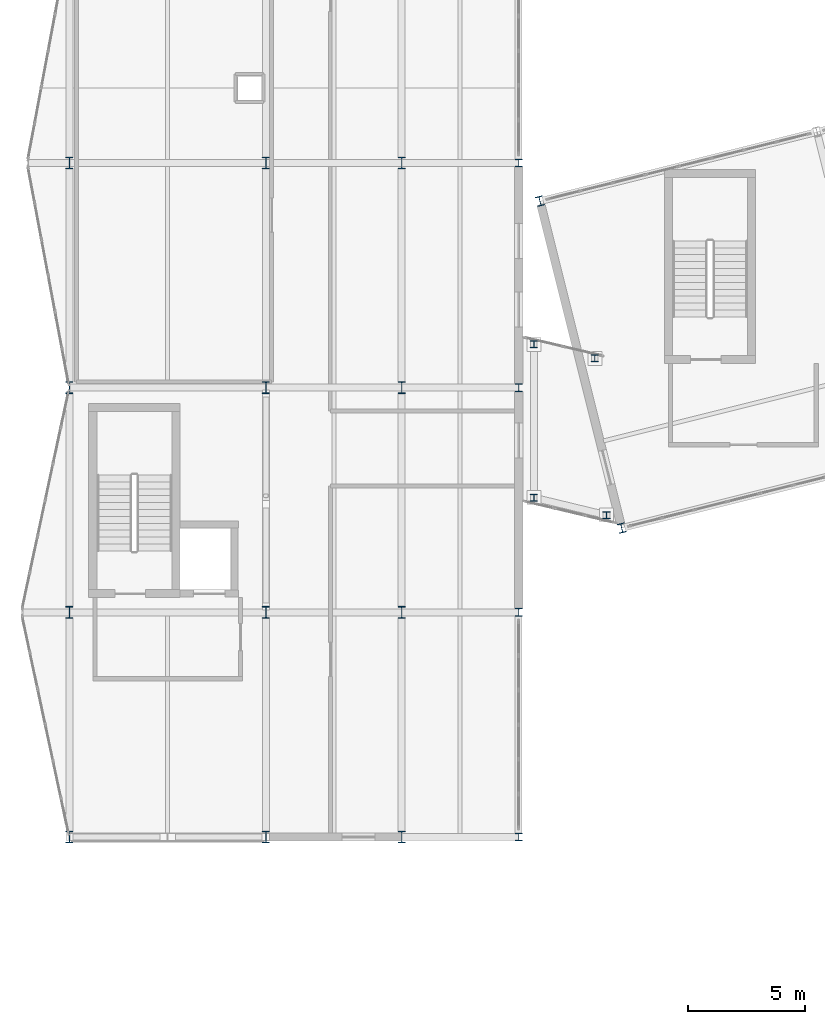
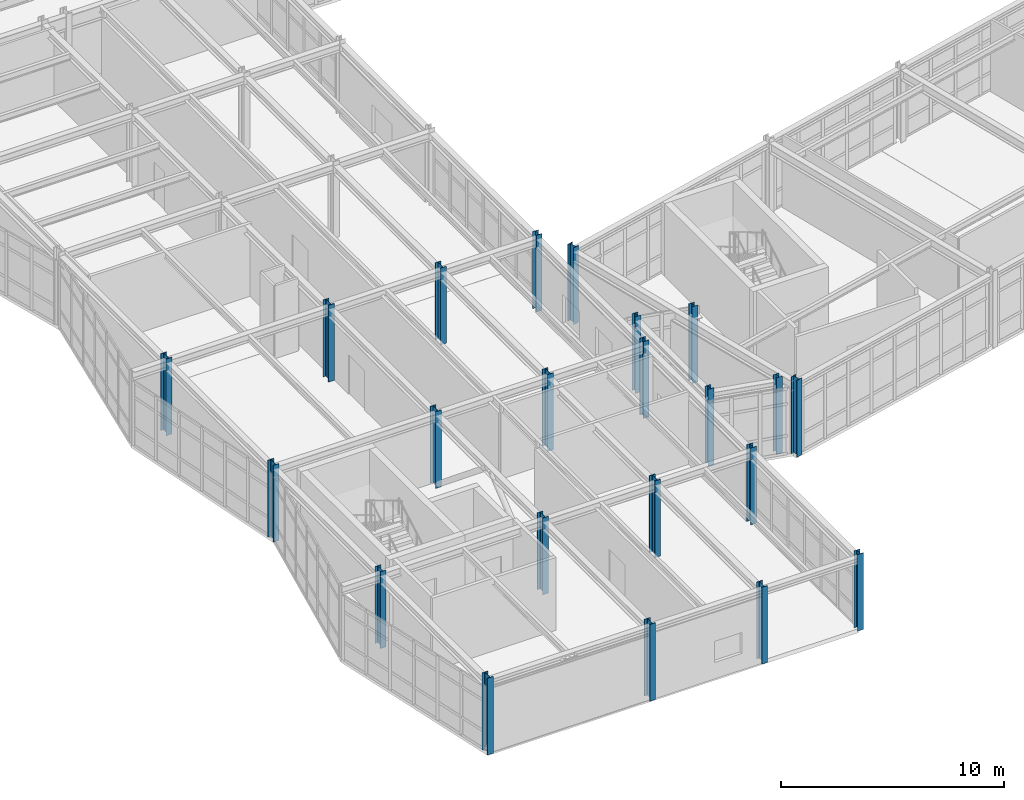
# One storey, part 1 of 76: 22 columns.
"""IFC4 building model written with IfcOpenShell, lengths in metres."""

from ifc_helpers import new_model, si_unit, direction, frame, origin, origin_2d, place, context, subcontext, project, spatial, i_section, extrude, material, material_profile, profile_set, type_object, element, save


model = new_model("IFC4")

# Units and contexts
model_context = context("Model", 3, precision=1e-05, world=origin(), true_north=direction((0.0, 1.0)))
body_context = subcontext(model_context, "Body", "Model", "MODEL_VIEW")
ifc_project = project(units=[si_unit("LENGTHUNIT", "METRE"), si_unit("AREAUNIT", "SQUARE_METRE"), si_unit("VOLUMEUNIT", "CUBIC_METRE"), si_unit("PLANEANGLEUNIT", "RADIAN"), si_unit("MASSUNIT", "GRAM", prefix="KILO")], contexts=[model_context])

# Site, building, storey
site_placement = place(None, origin())
site = spatial("IfcSite", under=ifc_project, at=site_placement, CompositionType="ELEMENT")
building_placement = place(site_placement, origin())
building = spatial("IfcBuilding", under=site, at=building_placement, Name="Nordkorset Police Headquarters", CompositionType="ELEMENT")
storey_placement = place(building_placement, frame((0.0, 0.0, 13.64990234375)))
storey = spatial("IfcBuildingStorey", under=building, at=storey_placement, Name="L03", CompositionType="ELEMENT", Elevation=13.64990234375)

# Columns
ifc_material_1 = material(Name="Steel S355J2", Category="steel")
ifc_material_profile_1 = material_profile(ifc_material_1, i_section(OverallWidth=0.300048828125, OverallDepth=0.300048828125, WebThickness=0.010986328125, FlangeThickness=0.01904296875, FilletRadius=0.027099609375, at=origin_2d()), Name="HEB 300")
ifc_profile_set_1 = profile_set([ifc_material_profile_1], Name="Steel S355J2")
column_type_1 = type_object("IfcColumnType", Name="Col_HEB_300", PredefinedType="COLUMN", material=ifc_profile_set_1)
for number, where, z_axis, x_axis, name in (
    (1, (19.85009765625, 49.85009765625, 0.0), (0.0, 0.0, 1.0), (1.0, 0.0, 0.0), "Courtyard Link Bridge Column BRG_W_N L03"),
    (2, (19.85009765625, 43.300048828125, 0.0), (0.0, 0.0, 1.0), (1.0, 0.0, 0.0), "Courtyard Link Bridge Column BRG_W_S L03"),
    (3, (22.449951171875, 49.25, 0.0), (0.0, 0.0, 1.0), (1.0, 0.0, 0.0), "Courtyard Link Bridge Column BRG_W_E1 L03"),
    (4, (22.949951171875, 42.550048828125, 0.0), (0.0, 0.0, 1.0), (1.0, 0.0, 0.0), "Courtyard Link Bridge Column BRG_W_E2 L03"),
):
    element("IfcColumn", number, at=place(storey_placement, frame(where, z_axis=z_axis, x_axis=x_axis)), inside=storey, type_object=column_type_1, Name=name, PredefinedType="COLUMN", context=body_context, shape_type="SweptSolid", body=[
        extrude(i_section(OverallWidth=0.300048828125, OverallDepth=0.300048828125, WebThickness=0.010986328125, FlangeThickness=0.01904296875, FilletRadius=0.027099609375, at=origin_2d()), origin(), (0.0, 0.0, 1.0), 4.2001953125),
    ])
ifc_material_2 = material(Name="Steel S355J2", Category="steel")
ifc_material_profile_2 = material_profile(ifc_material_2, i_section(OverallWidth=0.300048828125, OverallDepth=0.340087890625, WebThickness=0.011962890625, FlangeThickness=0.021484375, FilletRadius=0.027099609375, at=origin_2d()), Name="HEB 340")
ifc_profile_set_2 = profile_set([ifc_material_profile_2], Name="Steel S355J2")
column_type_2 = type_object("IfcColumnType", Name="Col_HEB_340", PredefinedType="COLUMN", material=ifc_profile_set_2)
for number, where, z_axis, x_axis, name in (
    (5, (19.199951171875, 28.800048828125, 0.0), (0.0, 0.0, 1.0), (1.0, 0.0, 0.0), "Structural Column V3_X3_0 L03"),
    (6, (19.199951171875, 38.39990234375, 0.0), (0.0, 0.0, 1.0), (1.0, 0.0, 0.0), "Structural Column V3_X3_1 L03"),
    (7, (19.199951171875, 48.0, 0.0), (0.0, 0.0, 1.0), (1.0, 0.0, 0.0), "Structural Column V3_X3_2 L03"),
    (8, (19.199951171875, 57.60009765625, 0.0), (0.0, 0.0, 1.0), (1.0, 0.0, 0.0), "Structural Column V3_X3_3 L03"),
):
    element("IfcColumn", number, at=place(storey_placement, frame(where, z_axis=z_axis, x_axis=x_axis)), inside=storey, type_object=column_type_2, Name=name, PredefinedType="COLUMN", context=body_context, shape_type="SweptSolid", body=[
        extrude(i_section(OverallWidth=0.300048828125, OverallDepth=0.340087890625, WebThickness=0.011962890625, FlangeThickness=0.021484375, FilletRadius=0.027099609375, at=origin_2d()), origin(), (0.0, 0.0, 1.0), 4.2001953125),
    ])
ifc_material_3 = material(Name="Steel S355J2", Category="steel")
ifc_material_profile_3 = material_profile(ifc_material_3, i_section(OverallWidth=0.300048828125, OverallDepth=0.39990234375, WebThickness=0.013427734375, FlangeThickness=0.02392578125, FilletRadius=0.027099609375, at=origin_2d()), Name="HEB 400")
ifc_profile_set_3 = profile_set([ifc_material_profile_3], Name="Steel S355J2")
column_type_3 = type_object("IfcColumnType", Name="Col_HEB_400", PredefinedType="COLUMN", material=ifc_profile_set_3)
for number, where, z_axis, x_axis, name in (
    (9, (23.60009765625, 42.0, 0.0), (0.0, 0.0, 1.0), (0.970142500145, 0.242535625038, 0.0), "Structural Column V4_U0_V0 L03"),
    (10, (20.107421875, 55.969970703125, 0.0), (0.0, 0.0, 1.0), (0.970142500145, 0.242535625038, 0.0), "Structural Column V4_U0_V1 L03"),
):
    element("IfcColumn", number, at=place(storey_placement, frame(where, z_axis=z_axis, x_axis=x_axis)), inside=storey, type_object=column_type_3, Name=name, PredefinedType="COLUMN", context=body_context, shape_type="SweptSolid", body=[
        extrude(i_section(OverallWidth=0.300048828125, OverallDepth=0.39990234375, WebThickness=0.013427734375, FlangeThickness=0.02392578125, FilletRadius=0.027099609375, at=origin_2d()), origin(), (0.0, 0.0, 1.0), 4.2001953125),
    ])
ifc_material_4 = material(Name="Steel S355J2", Category="steel")
ifc_material_profile_4 = material_profile(ifc_material_4, i_section(OverallWidth=0.300048828125, OverallDepth=0.5, WebThickness=0.014404296875, FlangeThickness=0.028076171875, FilletRadius=0.027099609375, at=origin_2d()), Name="HEB 500")
ifc_profile_set_4 = profile_set([ifc_material_profile_4], Name="Steel S355J2")
column_type_4 = type_object("IfcColumnType", Name="Col_HEB_500", PredefinedType="COLUMN", material=ifc_profile_set_4)
for number, where, z_axis, x_axis, name in (
    (11, (0.0, 28.800048828125, 0.0), (0.0, 0.0, 1.0), (1.0, 0.0, 0.0), "Structural Column V3_X0_0 L03"),
    (12, (8.39990234375, 28.800048828125, 0.0), (0.0, 0.0, 1.0), (1.0, 0.0, 0.0), "Structural Column V3_X1_0 L03"),
    (13, (14.199951171875, 28.800048828125, 0.0), (0.0, 0.0, 1.0), (1.0, 0.0, 0.0), "Structural Column V3_X2_0 L03"),
    (14, (0.0, 38.39990234375, 0.0), (0.0, 0.0, 1.0), (1.0, 0.0, 0.0), "Structural Column V3_X0_1 L03"),
    (15, (8.39990234375, 38.39990234375, 0.0), (0.0, 0.0, 1.0), (1.0, 0.0, 0.0), "Structural Column V3_X1_1 L03"),
    (16, (14.199951171875, 38.39990234375, 0.0), (0.0, 0.0, 1.0), (1.0, 0.0, 0.0), "Structural Column V3_X2_1 L03"),
    (17, (0.0, 48.0, 0.0), (0.0, 0.0, 1.0), (1.0, 0.0, 0.0), "Structural Column V3_X0_2 L03"),
    (18, (8.39990234375, 48.0, 0.0), (0.0, 0.0, 1.0), (1.0, 0.0, 0.0), "Structural Column V3_X1_2 L03"),
    (19, (14.199951171875, 48.0, 0.0), (0.0, 0.0, 1.0), (1.0, 0.0, 0.0), "Structural Column V3_X2_2 L03"),
    (20, (0.0, 57.60009765625, 0.0), (0.0, 0.0, 1.0), (1.0, 0.0, 0.0), "Structural Column V3_X0_3 L03"),
    (21, (8.39990234375, 57.60009765625, 0.0), (0.0, 0.0, 1.0), (1.0, 0.0, 0.0), "Structural Column V3_X1_3 L03"),
    (22, (14.199951171875, 57.60009765625, 0.0), (0.0, 0.0, 1.0), (1.0, 0.0, 0.0), "Structural Column V3_X2_3 L03"),
):
    element("IfcColumn", number, at=place(storey_placement, frame(where, z_axis=z_axis, x_axis=x_axis)), inside=storey, type_object=column_type_4, Name=name, PredefinedType="COLUMN", context=body_context, shape_type="SweptSolid", body=[
        extrude(i_section(OverallWidth=0.300048828125, OverallDepth=0.5, WebThickness=0.014404296875, FlangeThickness=0.028076171875, FilletRadius=0.027099609375, at=origin_2d()), origin(), (0.0, 0.0, 1.0), 4.2001953125),
    ])

save(model, "model.ifc")
